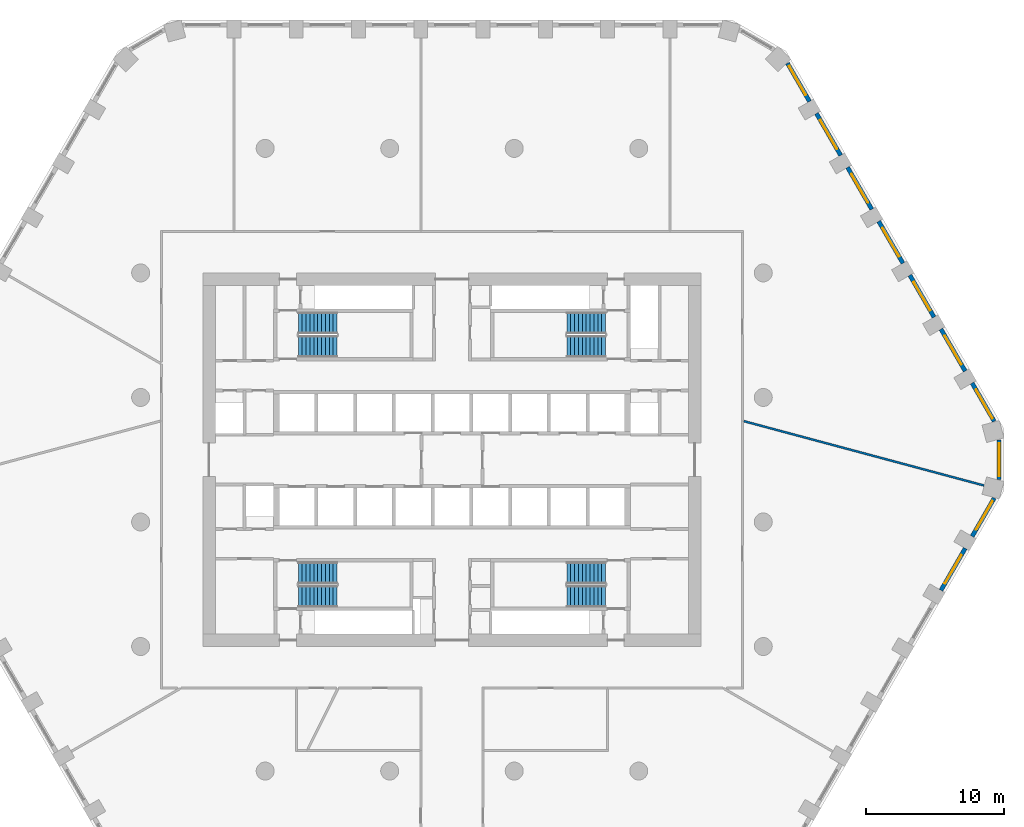
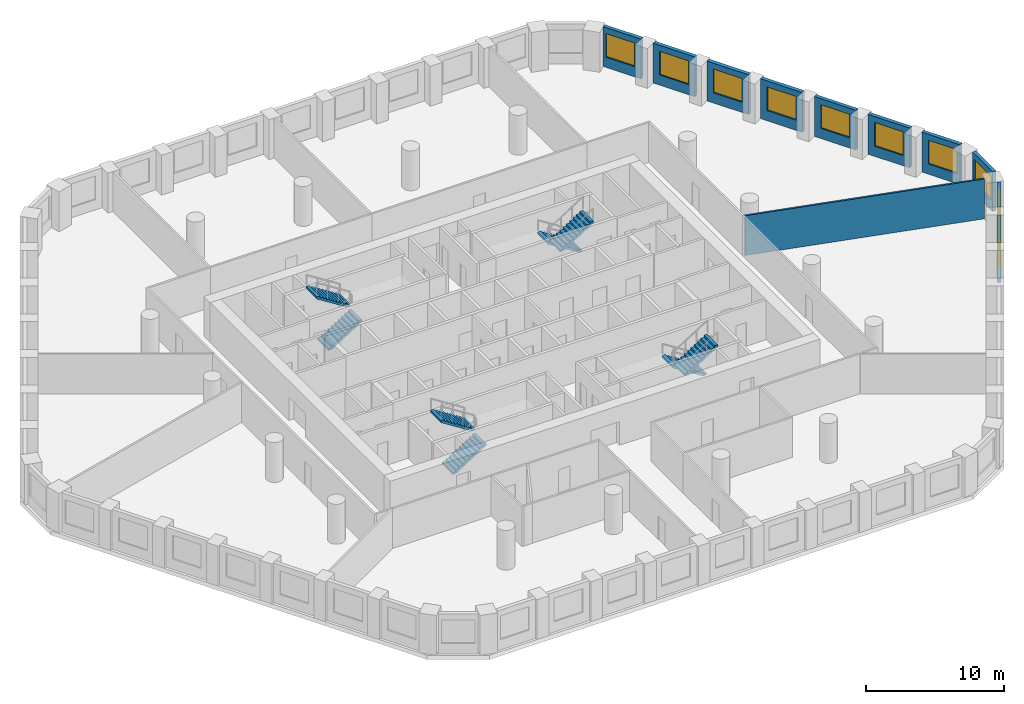
# One storey, part 8 of 9: 11 walls, 10 windows, 8 stair flights, 10 openings, 4 elements without a shape of their own.
"""IFC4 building model written with IfcOpenShell, lengths in metres."""

from ifc_helpers import new_model, si_unit, direction, frame, frame_2d, origin, place, context, subcontext, project, spatial, polyline, rectangle, outline, extrude, material, layer, layer_set, type_object, element, fill, aggregate, save


model = new_model("IFC4")

# Units and contexts
model_context = context("Model", 3, precision=1e-05, world=origin(), true_north=direction((0.0, 1.0)))
body_context = subcontext(model_context, "Body", "Model", "MODEL_VIEW")
ifc_project = project(units=[si_unit("LENGTHUNIT", "METRE"), si_unit("AREAUNIT", "SQUARE_METRE"), si_unit("VOLUMEUNIT", "CUBIC_METRE"), si_unit("PLANEANGLEUNIT", "RADIAN"), si_unit("MASSUNIT", "GRAM", prefix="KILO")], contexts=[model_context])

# Site, building, storey
site_placement = place(None, origin())
site = spatial("IfcSite", under=ifc_project, at=site_placement, CompositionType="ELEMENT")
building_placement = place(site_placement, origin())
building = spatial("IfcBuilding", under=site, at=building_placement, Name="Dhurran Vertical Campus", CompositionType="ELEMENT")
storey_placement = place(building_placement, frame((0.0, 0.0, 120.300048828125)))
storey = spatial("IfcBuildingStorey", under=building, at=storey_placement, Name="L29", CompositionType="ELEMENT", Elevation=120.300048828125)

# Wall, opening, window
ifc_material_1 = material(Name="Precast concrete C50/60", Category="concrete")
ifc_layer_1 = layer(ifc_material_1, 0.300048828125)
ifc_layer_set_1 = layer_set([ifc_layer_1], Name="Precast concrete C50/60")
wall_type_1 = type_object("IfcWallType", Name="Precast spandrel wall 300", PredefinedType="SOLIDWALL", material=ifc_layer_set_1)
wall_1_placement = place(storey_placement, frame((35.34423828125, -9.435791015625, 0.0), z_axis=(0.0, 0.0, 1.0), x_axis=(0.499996256241, 0.866027565234, 0.0)))
wall_1 = element("IfcWall", 1, at=wall_1_placement, inside=storey, type_object=wall_type_1, Name="EW1 L29.15", PredefinedType="SOLIDWALL", context=body_context, shape_type="SweptSolid", body=[
    extrude(rectangle(XDim=3.4990234375, YDim=0.300048828125, at=frame_2d((1.74951171875, 0.0))), origin(), (0.0, 0.0, 1.0), 3.52490234375),
])
opening_1_placement = place(wall_1_placement, frame((0.549560546875, 0.0, 0.89990234375)))
opening_1 = element("IfcOpeningElement", 2, at=opening_1_placement, cuts=wall_1, Name="Opening WT1", PredefinedType="OPENING", context=body_context, shape_type="SweptSolid", body=[
    extrude(rectangle(XDim=2.39990234375, YDim=2.10009765625, at=frame_2d((1.199951171875, 1.050048828125))), frame((0.0, 0.159912109375, 0.0), z_axis=(0.0, -1.0, 0.0), x_axis=(1.0, 0.0, 0.0)), (0.0, 0.0, 1.0), 0.320068359375),
])
ifc_material_2 = material(Name="Aluminium frame with solar-control glass", Category="aluminium")
window_type = type_object("IfcWindowType", Name="Punched window 2400 x 2100", PartitioningType="SINGLE_PANEL", PredefinedType="WINDOW", material=ifc_material_2)
window_1_placement = place(opening_1_placement, origin())
window_1 = element("IfcWindow", 3, at=window_1_placement, inside=storey, type_object=window_type, Name="WT1 L29.15", OverallHeight=2.10009765625, OverallWidth=2.39990234375, PartitioningType="SINGLE_PANEL", PredefinedType="WINDOW", context=body_context, shape_type="SweptSolid", body=[
    extrude(rectangle(XDim=2.39990234375, YDim=2.10009765625, at=frame_2d((1.199951171875, 1.050048828125))), frame((0.0, 0.030029296875, 0.0), z_axis=(0.0, -1.0, 0.0), x_axis=(1.0, 0.0, 0.0)), (0.0, 0.0, 1.0), 0.06005859375),
])
fill(opening_1, window_1)

wall_2_placement = place(storey_placement, frame((37.59423828125, -5.538818359375, 0.0), z_axis=(0.0, 0.0, 1.0), x_axis=(0.500004907028, 0.866022570692, 0.0)))
wall_2 = element("IfcWall", 4, at=wall_2_placement, inside=storey, type_object=wall_type_1, Name="EW1 L29.16", PredefinedType="SOLIDWALL", context=body_context, shape_type="SweptSolid", body=[
    extrude(rectangle(XDim=3.1923828125, YDim=0.300048828125, at=frame_2d((1.59619140625, 0.0))), origin(), (0.0, 0.0, 1.0), 3.52490234375),
])
opening_2_placement = place(wall_2_placement, frame((0.549560546875, 0.0, 0.89990234375)))
opening_2 = element("IfcOpeningElement", 5, at=opening_2_placement, cuts=wall_2, Name="Opening WT1", PredefinedType="OPENING", context=body_context, shape_type="SweptSolid", body=[
    extrude(rectangle(XDim=2.39990234375, YDim=2.10009765625, at=frame_2d((1.199951171875, 1.050048828125))), frame((0.0, 0.159912109375, 0.0), z_axis=(0.0, -1.0, 0.0), x_axis=(1.0, 0.0, 0.0)), (0.0, 0.0, 1.0), 0.320068359375),
])
window_2_placement = place(opening_2_placement, origin())
window_2 = element("IfcWindow", 6, at=window_2_placement, inside=storey, type_object=window_type, Name="WT1 L29.16", OverallHeight=2.10009765625, OverallWidth=2.39990234375, PartitioningType="SINGLE_PANEL", PredefinedType="WINDOW", context=body_context, shape_type="SweptSolid", body=[
    extrude(rectangle(XDim=2.39990234375, YDim=2.10009765625, at=frame_2d((1.199951171875, 1.050048828125))), frame((0.0, 0.030029296875, 0.0), z_axis=(0.0, -1.0, 0.0), x_axis=(1.0, 0.0, 0.0)), (0.0, 0.0, 1.0), 0.06005859375),
])
fill(opening_2, window_2)

wall_3_placement = place(storey_placement, frame((39.547119140625, -1.44287109375, 0.0), z_axis=(0.0, 0.0, 1.0), x_axis=(0.0, 1.0, 0.0)))
wall_3 = element("IfcWall", 7, at=wall_3_placement, inside=storey, type_object=wall_type_1, Name="EW1 L29.17", PredefinedType="SOLIDWALL", context=body_context, shape_type="SweptSolid", body=[
    extrude(rectangle(XDim=2.8857421875, YDim=0.300048828125, at=frame_2d((1.44287109375, 0.0))), origin(), (0.0, 0.0, 1.0), 3.52490234375),
])
opening_3_placement = place(wall_3_placement, frame((0.242919921875, 0.0, 0.89990234375)))
opening_3 = element("IfcOpeningElement", 8, at=opening_3_placement, cuts=wall_3, Name="Opening WT1", PredefinedType="OPENING", context=body_context, shape_type="SweptSolid", body=[
    extrude(rectangle(XDim=2.39990234375, YDim=2.10009765625, at=frame_2d((1.199951171875, 1.050048828125))), frame((0.0, 0.159912109375, 0.0), z_axis=(0.0, -1.0, 0.0), x_axis=(1.0, 0.0, 0.0)), (0.0, 0.0, 1.0), 0.320068359375),
])
window_3_placement = place(opening_3_placement, origin())
window_3 = element("IfcWindow", 9, at=window_3_placement, inside=storey, type_object=window_type, Name="WT1 L29.17", OverallHeight=2.10009765625, OverallWidth=2.39990234375, PartitioningType="SINGLE_PANEL", PredefinedType="WINDOW", context=body_context, shape_type="SweptSolid", body=[
    extrude(rectangle(XDim=2.39990234375, YDim=2.10009765625, at=frame_2d((1.199951171875, 1.050048828125))), frame((0.0, 0.030029296875, 0.0), z_axis=(0.0, -1.0, 0.0), x_axis=(1.0, 0.0, 0.0)), (0.0, 0.0, 1.0), 0.06005859375),
])
fill(opening_3, window_3)

wall_4_placement = place(storey_placement, frame((39.1904296875, 2.774169921875, 0.0), z_axis=(0.0, 0.0, 1.0), x_axis=(-0.500004907028, 0.866022570692, 0.0)))
wall_4 = element("IfcWall", 10, at=wall_4_placement, inside=storey, type_object=wall_type_1, Name="EW1 L29.18", PredefinedType="SOLIDWALL", context=body_context, shape_type="SweptSolid", body=[
    extrude(rectangle(XDim=3.1923828125, YDim=0.300048828125, at=frame_2d((1.59619140625, 0.0))), origin(), (0.0, 0.0, 1.0), 3.52490234375),
])
opening_4_placement = place(wall_4_placement, frame((0.242919921875, 0.0, 0.89990234375)))
opening_4 = element("IfcOpeningElement", 11, at=opening_4_placement, cuts=wall_4, Name="Opening WT1", PredefinedType="OPENING", context=body_context, shape_type="SweptSolid", body=[
    extrude(rectangle(XDim=2.39990234375, YDim=2.10009765625, at=frame_2d((1.199951171875, 1.050048828125))), frame((0.0, 0.159912109375, 0.0), z_axis=(0.0, -1.0, 0.0), x_axis=(1.0, 0.0, 0.0)), (0.0, 0.0, 1.0), 0.320068359375),
])
window_4_placement = place(opening_4_placement, origin())
window_4 = element("IfcWindow", 12, at=window_4_placement, inside=storey, type_object=window_type, Name="WT1 L29.18", OverallHeight=2.10009765625, OverallWidth=2.39990234375, PartitioningType="SINGLE_PANEL", PredefinedType="WINDOW", context=body_context, shape_type="SweptSolid", body=[
    extrude(rectangle(XDim=2.39990234375, YDim=2.10009765625, at=frame_2d((1.199951171875, 1.050048828125))), frame((0.0, 0.030029296875, 0.0), z_axis=(0.0, -1.0, 0.0), x_axis=(1.0, 0.0, 0.0)), (0.0, 0.0, 1.0), 0.06005859375),
])
fill(opening_4, window_4)

wall_5_placement = place(storey_placement, frame((37.09375, 6.405517578125, 0.0), z_axis=(0.0, 0.0, 1.0), x_axis=(-0.499996256241, 0.866027565234, 0.0)))
wall_5 = element("IfcWall", 13, at=wall_5_placement, inside=storey, type_object=wall_type_1, Name="EW1 L29.19", PredefinedType="SOLIDWALL", context=body_context, shape_type="SweptSolid", body=[
    extrude(rectangle(XDim=3.4990234375, YDim=0.300048828125, at=frame_2d((1.74951171875, 0.0))), origin(), (0.0, 0.0, 1.0), 3.52490234375),
])
opening_5_placement = place(wall_5_placement, frame((0.549560546875, 0.0, 0.89990234375)))
opening_5 = element("IfcOpeningElement", 14, at=opening_5_placement, cuts=wall_5, Name="Opening WT1", PredefinedType="OPENING", context=body_context, shape_type="SweptSolid", body=[
    extrude(rectangle(XDim=2.39990234375, YDim=2.10009765625, at=frame_2d((1.199951171875, 1.050048828125))), frame((0.0, 0.159912109375, 0.0), z_axis=(0.0, -1.0, 0.0), x_axis=(1.0, 0.0, 0.0)), (0.0, 0.0, 1.0), 0.320068359375),
])
window_5_placement = place(opening_5_placement, origin())
window_5 = element("IfcWindow", 15, at=window_5_placement, inside=storey, type_object=window_type, Name="WT1 L29.19", OverallHeight=2.10009765625, OverallWidth=2.39990234375, PartitioningType="SINGLE_PANEL", PredefinedType="WINDOW", context=body_context, shape_type="SweptSolid", body=[
    extrude(rectangle(XDim=2.39990234375, YDim=2.10009765625, at=frame_2d((1.199951171875, 1.050048828125))), frame((0.0, 0.030029296875, 0.0), z_axis=(0.0, -1.0, 0.0), x_axis=(1.0, 0.0, 0.0)), (0.0, 0.0, 1.0), 0.06005859375),
])
fill(opening_5, window_5)

wall_6_placement = place(storey_placement, frame((34.84375, 10.302734375, 0.0), z_axis=(0.0, 0.0, 1.0), x_axis=(-0.499996256241, 0.866027565234, 0.0)))
wall_6 = element("IfcWall", 16, at=wall_6_placement, inside=storey, type_object=wall_type_1, Name="EW1 L29.20", PredefinedType="SOLIDWALL", context=body_context, shape_type="SweptSolid", body=[
    extrude(rectangle(XDim=3.4990234375, YDim=0.300048828125, at=frame_2d((1.74951171875, 0.0))), origin(), (0.0, 0.0, 1.0), 3.52490234375),
])
opening_6_placement = place(wall_6_placement, frame((0.549560546875, 0.0, 0.89990234375)))
opening_6 = element("IfcOpeningElement", 17, at=opening_6_placement, cuts=wall_6, Name="Opening WT1", PredefinedType="OPENING", context=body_context, shape_type="SweptSolid", body=[
    extrude(rectangle(XDim=2.39990234375, YDim=2.10009765625, at=frame_2d((1.199951171875, 1.050048828125))), frame((0.0, 0.159912109375, 0.0), z_axis=(0.0, -1.0, 0.0), x_axis=(1.0, 0.0, 0.0)), (0.0, 0.0, 1.0), 0.320068359375),
])
window_6_placement = place(opening_6_placement, origin())
window_6 = element("IfcWindow", 18, at=window_6_placement, inside=storey, type_object=window_type, Name="WT1 L29.20", OverallHeight=2.10009765625, OverallWidth=2.39990234375, PartitioningType="SINGLE_PANEL", PredefinedType="WINDOW", context=body_context, shape_type="SweptSolid", body=[
    extrude(rectangle(XDim=2.39990234375, YDim=2.10009765625, at=frame_2d((1.199951171875, 1.050048828125))), frame((0.0, 0.030029296875, 0.0), z_axis=(0.0, -1.0, 0.0), x_axis=(1.0, 0.0, 0.0)), (0.0, 0.0, 1.0), 0.06005859375),
])
fill(opening_6, window_6)

wall_7_placement = place(storey_placement, frame((32.59375, 14.19970703125, 0.0), z_axis=(0.0, 0.0, 1.0), x_axis=(-0.499996256241, 0.866027565234, 0.0)))
wall_7 = element("IfcWall", 19, at=wall_7_placement, inside=storey, type_object=wall_type_1, Name="EW1 L29.21", PredefinedType="SOLIDWALL", context=body_context, shape_type="SweptSolid", body=[
    extrude(rectangle(XDim=3.4990234375, YDim=0.300048828125, at=frame_2d((1.74951171875, 0.0))), origin(), (0.0, 0.0, 1.0), 3.52490234375),
])
opening_7_placement = place(wall_7_placement, frame((0.549560546875, 0.0, 0.89990234375)))
opening_7 = element("IfcOpeningElement", 20, at=opening_7_placement, cuts=wall_7, Name="Opening WT1", PredefinedType="OPENING", context=body_context, shape_type="SweptSolid", body=[
    extrude(rectangle(XDim=2.39990234375, YDim=2.10009765625, at=frame_2d((1.199951171875, 1.050048828125))), frame((0.0, 0.159912109375, 0.0), z_axis=(0.0, -1.0, 0.0), x_axis=(1.0, 0.0, 0.0)), (0.0, 0.0, 1.0), 0.320068359375),
])
window_7_placement = place(opening_7_placement, origin())
window_7 = element("IfcWindow", 21, at=window_7_placement, inside=storey, type_object=window_type, Name="WT1 L29.21", OverallHeight=2.10009765625, OverallWidth=2.39990234375, PartitioningType="SINGLE_PANEL", PredefinedType="WINDOW", context=body_context, shape_type="SweptSolid", body=[
    extrude(rectangle(XDim=2.39990234375, YDim=2.10009765625, at=frame_2d((1.199951171875, 1.050048828125))), frame((0.0, 0.030029296875, 0.0), z_axis=(0.0, -1.0, 0.0), x_axis=(1.0, 0.0, 0.0)), (0.0, 0.0, 1.0), 0.06005859375),
])
fill(opening_7, window_7)

wall_8_placement = place(storey_placement, frame((30.34375, 18.096923828125, 0.0), z_axis=(0.0, 0.0, 1.0), x_axis=(-0.499996256241, 0.866027565234, 0.0)))
wall_8 = element("IfcWall", 22, at=wall_8_placement, inside=storey, type_object=wall_type_1, Name="EW1 L29.22", PredefinedType="SOLIDWALL", context=body_context, shape_type="SweptSolid", body=[
    extrude(rectangle(XDim=3.4990234375, YDim=0.300048828125, at=frame_2d((1.74951171875, 0.0))), origin(), (0.0, 0.0, 1.0), 3.52490234375),
])
opening_8_placement = place(wall_8_placement, frame((0.549560546875, 0.0, 0.89990234375)))
opening_8 = element("IfcOpeningElement", 23, at=opening_8_placement, cuts=wall_8, Name="Opening WT1", PredefinedType="OPENING", context=body_context, shape_type="SweptSolid", body=[
    extrude(rectangle(XDim=2.39990234375, YDim=2.10009765625, at=frame_2d((1.199951171875, 1.050048828125))), frame((0.0, 0.159912109375, 0.0), z_axis=(0.0, -1.0, 0.0), x_axis=(1.0, 0.0, 0.0)), (0.0, 0.0, 1.0), 0.320068359375),
])
window_8_placement = place(opening_8_placement, origin())
window_8 = element("IfcWindow", 24, at=window_8_placement, inside=storey, type_object=window_type, Name="WT1 L29.22", OverallHeight=2.10009765625, OverallWidth=2.39990234375, PartitioningType="SINGLE_PANEL", PredefinedType="WINDOW", context=body_context, shape_type="SweptSolid", body=[
    extrude(rectangle(XDim=2.39990234375, YDim=2.10009765625, at=frame_2d((1.199951171875, 1.050048828125))), frame((0.0, 0.030029296875, 0.0), z_axis=(0.0, -1.0, 0.0), x_axis=(1.0, 0.0, 0.0)), (0.0, 0.0, 1.0), 0.06005859375),
])
fill(opening_8, window_8)

wall_9_placement = place(storey_placement, frame((28.09375, 21.993896484375, 0.0), z_axis=(0.0, 0.0, 1.0), x_axis=(-0.499996256241, 0.866027565234, 0.0)))
wall_9 = element("IfcWall", 25, at=wall_9_placement, inside=storey, type_object=wall_type_1, Name="EW1 L29.23", PredefinedType="SOLIDWALL", context=body_context, shape_type="SweptSolid", body=[
    extrude(rectangle(XDim=3.4990234375, YDim=0.300048828125, at=frame_2d((1.74951171875, 0.0))), origin(), (0.0, 0.0, 1.0), 3.52490234375),
])
opening_9_placement = place(wall_9_placement, frame((0.549560546875, 0.0, 0.89990234375)))
opening_9 = element("IfcOpeningElement", 26, at=opening_9_placement, cuts=wall_9, Name="Opening WT1", PredefinedType="OPENING", context=body_context, shape_type="SweptSolid", body=[
    extrude(rectangle(XDim=2.39990234375, YDim=2.10009765625, at=frame_2d((1.199951171875, 1.050048828125))), frame((0.0, 0.159912109375, 0.0), z_axis=(0.0, -1.0, 0.0), x_axis=(1.0, 0.0, 0.0)), (0.0, 0.0, 1.0), 0.320068359375),
])
window_9_placement = place(opening_9_placement, origin())
window_9 = element("IfcWindow", 27, at=window_9_placement, inside=storey, type_object=window_type, Name="WT1 L29.23", OverallHeight=2.10009765625, OverallWidth=2.39990234375, PartitioningType="SINGLE_PANEL", PredefinedType="WINDOW", context=body_context, shape_type="SweptSolid", body=[
    extrude(rectangle(XDim=2.39990234375, YDim=2.10009765625, at=frame_2d((1.199951171875, 1.050048828125))), frame((0.0, 0.030029296875, 0.0), z_axis=(0.0, -1.0, 0.0), x_axis=(1.0, 0.0, 0.0)), (0.0, 0.0, 1.0), 0.06005859375),
])
fill(opening_9, window_9)

wall_10_placement = place(storey_placement, frame((25.84375, 25.89111328125, 0.0), z_axis=(0.0, 0.0, 1.0), x_axis=(-0.500004907028, 0.866022570692, 0.0)))
wall_10 = element("IfcWall", 28, at=wall_10_placement, inside=storey, type_object=wall_type_1, Name="EW1 L29.24", PredefinedType="SOLIDWALL", context=body_context, shape_type="SweptSolid", body=[
    extrude(rectangle(XDim=3.1923828125, YDim=0.300048828125, at=frame_2d((1.59619140625, 0.0))), origin(), (0.0, 0.0, 1.0), 3.52490234375),
])
opening_10_placement = place(wall_10_placement, frame((0.549560546875, 0.0, 0.89990234375)))
opening_10 = element("IfcOpeningElement", 29, at=opening_10_placement, cuts=wall_10, Name="Opening WT1", PredefinedType="OPENING", context=body_context, shape_type="SweptSolid", body=[
    extrude(rectangle(XDim=2.39990234375, YDim=2.10009765625, at=frame_2d((1.199951171875, 1.050048828125))), frame((0.0, 0.159912109375, 0.0), z_axis=(0.0, -1.0, 0.0), x_axis=(1.0, 0.0, 0.0)), (0.0, 0.0, 1.0), 0.320068359375),
])
window_10_placement = place(opening_10_placement, origin())
window_10 = element("IfcWindow", 30, at=window_10_placement, inside=storey, type_object=window_type, Name="WT1 L29.24", OverallHeight=2.10009765625, OverallWidth=2.39990234375, PartitioningType="SINGLE_PANEL", PredefinedType="WINDOW", context=body_context, shape_type="SweptSolid", body=[
    extrude(rectangle(XDim=2.39990234375, YDim=2.10009765625, at=frame_2d((1.199951171875, 1.050048828125))), frame((0.0, 0.030029296875, 0.0), z_axis=(0.0, -1.0, 0.0), x_axis=(1.0, 0.0, 0.0)), (0.0, 0.0, 1.0), 0.06005859375),
])
fill(opening_10, window_10)

# Wall
ifc_material_3 = material(Name="Gypsum board partition on steel studs", Category="steel")
ifc_layer_2 = layer(ifc_material_3, 0.14990234375)
ifc_layer_set_2 = layer_set([ifc_layer_2], Name="Gypsum board partition on steel studs")
wall_type_2 = type_object("IfcWallType", Name="fl-PW-150 fixed partition", PredefinedType="PARTITIONING", material=ifc_layer_set_2)
wall_11_placement = place(storey_placement, frame((38.45361328125, -1.86376953125, 0.0), z_axis=(0.0, 0.0, 1.0), x_axis=(-0.965925618712, 0.25881981979, 0.0)))
element("IfcWall", 31, at=wall_11_placement, inside=storey, type_object=wall_type_2, Name="Partition 29-34", PredefinedType="PARTITIONING", context=body_context, shape_type="SweptSolid", body=[
    extrude(rectangle(XDim=17.974365234375, YDim=0.14990234375, at=frame_2d((8.9873046875, 0.0))), origin(), (0.0, 0.0, 1.0), 3.52490234375),
])

# Stair, stair flights
ifc_material_4 = material(Name="Concrete C40/50", Category="concrete")
stair_type = type_object("IfcStairType", Name="co-ST-CORE", PredefinedType="HALF_TURN_STAIR", material=ifc_material_4)
stair_1_placement = place(storey_placement, origin())
stair_1 = element("IfcStair", 32, at=stair_1_placement, inside=storey, type_object=stair_type, Name="L29 Protected exit stair ST1", PredefinedType="HALF_TURN_STAIR")
ifc_material_5 = material(Name="Concrete C40/50", Category="concrete")
stair_flight_type = type_object("IfcStairFlightType", Name="co-SFL-RC", PredefinedType="STRAIGHT", material=ifc_material_5)
stair_flight_1_placement = place(storey_placement, frame((-11.10009765625, 8.175048828125, 0.0), z_axis=(0.0, 0.0, 1.0), x_axis=(1.0, 0.0, 0.0)))
stair_flight_1 = element("IfcStairFlight", 33, at=stair_flight_1_placement, type_object=stair_flight_type, Name="ST1 flight 1", NumberOfRisers=11, NumberOfTreads=10, PredefinedType="STRAIGHT", RiserHeight=0.177272727, TreadLength=0.28, context=body_context, shape_type="SweptSolid", body=[
    extrude(outline(polyline([(0.0, 0.0), (0.0, 0.17724609375), (0.280029296875, 0.17724609375), (0.280029296875, 0.3544921875), (0.56005859375, 0.3544921875), (0.56005859375, 0.53173828125), (0.840087890625, 0.53173828125), (0.840087890625, 0.708984375), (1.1201171875, 0.708984375), (1.1201171875, 0.886474609375), (1.39990234375, 0.886474609375), (1.39990234375, 1.063720703125), (1.679931640625, 1.063720703125), (1.679931640625, 1.240966796875), (1.9599609375, 1.240966796875), (1.9599609375, 1.418212890625), (2.239990234375, 1.418212890625), (2.239990234375, 1.595458984375), (2.52001953125, 1.595458984375), (2.52001953125, 1.772705078125), (2.800048828125, 1.772705078125), (2.800048828125, 1.949951171875), (2.800048828125, 1.59521484375), (0.2802734375, 0.0), (0.0, 0.0)])), frame((0.0, 0.77490234375, 0.0), z_axis=(0.0, -1.0, 0.0), x_axis=(1.0, 0.0, 0.0)), (0.0, 0.0, 1.0), 1.550048828125),
])
stair_flight_2_placement = place(storey_placement, frame((-8.300048828125, 9.875, 1.949951171875), z_axis=(0.0, 0.0, 1.0), x_axis=(-1.0, 0.0, 0.0)))
stair_flight_2 = element("IfcStairFlight", 34, at=stair_flight_2_placement, type_object=stair_flight_type, Name="ST1 flight 2", NumberOfRisers=11, NumberOfTreads=10, PredefinedType="STRAIGHT", RiserHeight=0.177272727, TreadLength=0.28, context=body_context, shape_type="SweptSolid", body=[
    extrude(outline(polyline([(0.0, 0.0), (0.0, 0.17724609375), (0.280029296875, 0.17724609375), (0.280029296875, 0.3544921875), (0.56005859375, 0.3544921875), (0.56005859375, 0.53173828125), (0.840087890625, 0.53173828125), (0.840087890625, 0.708984375), (1.1201171875, 0.708984375), (1.1201171875, 0.886474609375), (1.39990234375, 0.886474609375), (1.39990234375, 1.063720703125), (1.679931640625, 1.063720703125), (1.679931640625, 1.240966796875), (1.9599609375, 1.240966796875), (1.9599609375, 1.418212890625), (2.239990234375, 1.418212890625), (2.239990234375, 1.595458984375), (2.52001953125, 1.595458984375), (2.52001953125, 1.772705078125), (2.800048828125, 1.772705078125), (2.800048828125, 1.949951171875), (2.800048828125, 1.59521484375), (0.2802734375, 0.0), (0.0, 0.0)])), frame((0.0, 0.77490234375, 0.0), z_axis=(0.0, -1.0, 0.0), x_axis=(1.0, 0.0, 0.0)), (0.0, 0.0, 1.0), 1.550048828125),
])
aggregate(stair_1, [stair_flight_1, stair_flight_2])

stair_2_placement = place(storey_placement, origin())
stair_2 = element("IfcStair", 35, at=stair_2_placement, inside=storey, type_object=stair_type, Name="L29 Protected exit stair ST2", PredefinedType="HALF_TURN_STAIR")
stair_flight_3_placement = place(storey_placement, frame((11.10009765625, 9.875, 0.0), z_axis=(0.0, 0.0, 1.0), x_axis=(-1.0, 0.0, 0.0)))
stair_flight_3 = element("IfcStairFlight", 36, at=stair_flight_3_placement, type_object=stair_flight_type, Name="ST2 flight 1", NumberOfRisers=11, NumberOfTreads=10, PredefinedType="STRAIGHT", RiserHeight=0.177272727, TreadLength=0.28, context=body_context, shape_type="SweptSolid", body=[
    extrude(outline(polyline([(0.0, 0.0), (0.0, 0.17724609375), (0.280029296875, 0.17724609375), (0.280029296875, 0.3544921875), (0.56005859375, 0.3544921875), (0.56005859375, 0.53173828125), (0.840087890625, 0.53173828125), (0.840087890625, 0.708984375), (1.1201171875, 0.708984375), (1.1201171875, 0.886474609375), (1.39990234375, 0.886474609375), (1.39990234375, 1.063720703125), (1.679931640625, 1.063720703125), (1.679931640625, 1.240966796875), (1.9599609375, 1.240966796875), (1.9599609375, 1.418212890625), (2.239990234375, 1.418212890625), (2.239990234375, 1.595458984375), (2.52001953125, 1.595458984375), (2.52001953125, 1.772705078125), (2.800048828125, 1.772705078125), (2.800048828125, 1.949951171875), (2.800048828125, 1.59521484375), (0.2802734375, 0.0), (0.0, 0.0)])), frame((0.0, 0.77490234375, 0.0), z_axis=(0.0, -1.0, 0.0), x_axis=(1.0, 0.0, 0.0)), (0.0, 0.0, 1.0), 1.550048828125),
])
stair_flight_4_placement = place(storey_placement, frame((8.300048828125, 8.175048828125, 1.949951171875), z_axis=(0.0, 0.0, 1.0), x_axis=(1.0, 0.0, 0.0)))
stair_flight_4 = element("IfcStairFlight", 37, at=stair_flight_4_placement, type_object=stair_flight_type, Name="ST2 flight 2", NumberOfRisers=11, NumberOfTreads=10, PredefinedType="STRAIGHT", RiserHeight=0.177272727, TreadLength=0.28, context=body_context, shape_type="SweptSolid", body=[
    extrude(outline(polyline([(0.0, 0.0), (0.0, 0.17724609375), (0.280029296875, 0.17724609375), (0.280029296875, 0.3544921875), (0.56005859375, 0.3544921875), (0.56005859375, 0.53173828125), (0.840087890625, 0.53173828125), (0.840087890625, 0.708984375), (1.1201171875, 0.708984375), (1.1201171875, 0.886474609375), (1.39990234375, 0.886474609375), (1.39990234375, 1.063720703125), (1.679931640625, 1.063720703125), (1.679931640625, 1.240966796875), (1.9599609375, 1.240966796875), (1.9599609375, 1.418212890625), (2.239990234375, 1.418212890625), (2.239990234375, 1.595458984375), (2.52001953125, 1.595458984375), (2.52001953125, 1.772705078125), (2.800048828125, 1.772705078125), (2.800048828125, 1.949951171875), (2.800048828125, 1.59521484375), (0.2802734375, 0.0), (0.0, 0.0)])), frame((0.0, 0.77490234375, 0.0), z_axis=(0.0, -1.0, 0.0), x_axis=(1.0, 0.0, 0.0)), (0.0, 0.0, 1.0), 1.550048828125),
])
aggregate(stair_2, [stair_flight_3, stair_flight_4])

stair_3_placement = place(storey_placement, origin())
stair_3 = element("IfcStair", 38, at=stair_3_placement, inside=storey, type_object=stair_type, Name="L29 Protected exit stair ST3", PredefinedType="HALF_TURN_STAIR")
stair_flight_5_placement = place(storey_placement, frame((-11.10009765625, -9.875, 0.0), z_axis=(0.0, 0.0, 1.0), x_axis=(1.0, 0.0, 0.0)))
stair_flight_5 = element("IfcStairFlight", 39, at=stair_flight_5_placement, type_object=stair_flight_type, Name="ST3 flight 1", NumberOfRisers=11, NumberOfTreads=10, PredefinedType="STRAIGHT", RiserHeight=0.177272727, TreadLength=0.28, context=body_context, shape_type="SweptSolid", body=[
    extrude(outline(polyline([(0.0, 0.0), (0.0, 0.17724609375), (0.280029296875, 0.17724609375), (0.280029296875, 0.3544921875), (0.56005859375, 0.3544921875), (0.56005859375, 0.53173828125), (0.840087890625, 0.53173828125), (0.840087890625, 0.708984375), (1.1201171875, 0.708984375), (1.1201171875, 0.886474609375), (1.39990234375, 0.886474609375), (1.39990234375, 1.063720703125), (1.679931640625, 1.063720703125), (1.679931640625, 1.240966796875), (1.9599609375, 1.240966796875), (1.9599609375, 1.418212890625), (2.239990234375, 1.418212890625), (2.239990234375, 1.595458984375), (2.52001953125, 1.595458984375), (2.52001953125, 1.772705078125), (2.800048828125, 1.772705078125), (2.800048828125, 1.949951171875), (2.800048828125, 1.59521484375), (0.2802734375, 0.0), (0.0, 0.0)])), frame((0.0, 0.77490234375, 0.0), z_axis=(0.0, -1.0, 0.0), x_axis=(1.0, 0.0, 0.0)), (0.0, 0.0, 1.0), 1.550048828125),
])
stair_flight_6_placement = place(storey_placement, frame((-8.300048828125, -8.175048828125, 1.949951171875), z_axis=(0.0, 0.0, 1.0), x_axis=(-1.0, 0.0, 0.0)))
stair_flight_6 = element("IfcStairFlight", 40, at=stair_flight_6_placement, type_object=stair_flight_type, Name="ST3 flight 2", NumberOfRisers=11, NumberOfTreads=10, PredefinedType="STRAIGHT", RiserHeight=0.177272727, TreadLength=0.28, context=body_context, shape_type="SweptSolid", body=[
    extrude(outline(polyline([(0.0, 0.0), (0.0, 0.17724609375), (0.280029296875, 0.17724609375), (0.280029296875, 0.3544921875), (0.56005859375, 0.3544921875), (0.56005859375, 0.53173828125), (0.840087890625, 0.53173828125), (0.840087890625, 0.708984375), (1.1201171875, 0.708984375), (1.1201171875, 0.886474609375), (1.39990234375, 0.886474609375), (1.39990234375, 1.063720703125), (1.679931640625, 1.063720703125), (1.679931640625, 1.240966796875), (1.9599609375, 1.240966796875), (1.9599609375, 1.418212890625), (2.239990234375, 1.418212890625), (2.239990234375, 1.595458984375), (2.52001953125, 1.595458984375), (2.52001953125, 1.772705078125), (2.800048828125, 1.772705078125), (2.800048828125, 1.949951171875), (2.800048828125, 1.59521484375), (0.2802734375, 0.0), (0.0, 0.0)])), frame((0.0, 0.77490234375, 0.0), z_axis=(0.0, -1.0, 0.0), x_axis=(1.0, 0.0, 0.0)), (0.0, 0.0, 1.0), 1.550048828125),
])
aggregate(stair_3, [stair_flight_5, stair_flight_6])

stair_4_placement = place(storey_placement, origin())
stair_4 = element("IfcStair", 41, at=stair_4_placement, inside=storey, type_object=stair_type, Name="L29 Protected exit stair ST4", PredefinedType="HALF_TURN_STAIR")
stair_flight_7_placement = place(storey_placement, frame((11.10009765625, -8.175048828125, 0.0), z_axis=(0.0, 0.0, 1.0), x_axis=(-1.0, 0.0, 0.0)))
stair_flight_7 = element("IfcStairFlight", 42, at=stair_flight_7_placement, type_object=stair_flight_type, Name="ST4 flight 1", NumberOfRisers=11, NumberOfTreads=10, PredefinedType="STRAIGHT", RiserHeight=0.177272727, TreadLength=0.28, context=body_context, shape_type="SweptSolid", body=[
    extrude(outline(polyline([(0.0, 0.0), (0.0, 0.17724609375), (0.280029296875, 0.17724609375), (0.280029296875, 0.3544921875), (0.56005859375, 0.3544921875), (0.56005859375, 0.53173828125), (0.840087890625, 0.53173828125), (0.840087890625, 0.708984375), (1.1201171875, 0.708984375), (1.1201171875, 0.886474609375), (1.39990234375, 0.886474609375), (1.39990234375, 1.063720703125), (1.679931640625, 1.063720703125), (1.679931640625, 1.240966796875), (1.9599609375, 1.240966796875), (1.9599609375, 1.418212890625), (2.239990234375, 1.418212890625), (2.239990234375, 1.595458984375), (2.52001953125, 1.595458984375), (2.52001953125, 1.772705078125), (2.800048828125, 1.772705078125), (2.800048828125, 1.949951171875), (2.800048828125, 1.59521484375), (0.2802734375, 0.0), (0.0, 0.0)])), frame((0.0, 0.77490234375, 0.0), z_axis=(0.0, -1.0, 0.0), x_axis=(1.0, 0.0, 0.0)), (0.0, 0.0, 1.0), 1.550048828125),
])
stair_flight_8_placement = place(storey_placement, frame((8.300048828125, -9.875, 1.949951171875), z_axis=(0.0, 0.0, 1.0), x_axis=(1.0, 0.0, 0.0)))
stair_flight_8 = element("IfcStairFlight", 43, at=stair_flight_8_placement, type_object=stair_flight_type, Name="ST4 flight 2", NumberOfRisers=11, NumberOfTreads=10, PredefinedType="STRAIGHT", RiserHeight=0.177272727, TreadLength=0.28, context=body_context, shape_type="SweptSolid", body=[
    extrude(outline(polyline([(0.0, 0.0), (0.0, 0.17724609375), (0.280029296875, 0.17724609375), (0.280029296875, 0.3544921875), (0.56005859375, 0.3544921875), (0.56005859375, 0.53173828125), (0.840087890625, 0.53173828125), (0.840087890625, 0.708984375), (1.1201171875, 0.708984375), (1.1201171875, 0.886474609375), (1.39990234375, 0.886474609375), (1.39990234375, 1.063720703125), (1.679931640625, 1.063720703125), (1.679931640625, 1.240966796875), (1.9599609375, 1.240966796875), (1.9599609375, 1.418212890625), (2.239990234375, 1.418212890625), (2.239990234375, 1.595458984375), (2.52001953125, 1.595458984375), (2.52001953125, 1.772705078125), (2.800048828125, 1.772705078125), (2.800048828125, 1.949951171875), (2.800048828125, 1.59521484375), (0.2802734375, 0.0), (0.0, 0.0)])), frame((0.0, 0.77490234375, 0.0), z_axis=(0.0, -1.0, 0.0), x_axis=(1.0, 0.0, 0.0)), (0.0, 0.0, 1.0), 1.550048828125),
])
aggregate(stair_4, [stair_flight_7, stair_flight_8])

save(model, "model.ifc")
